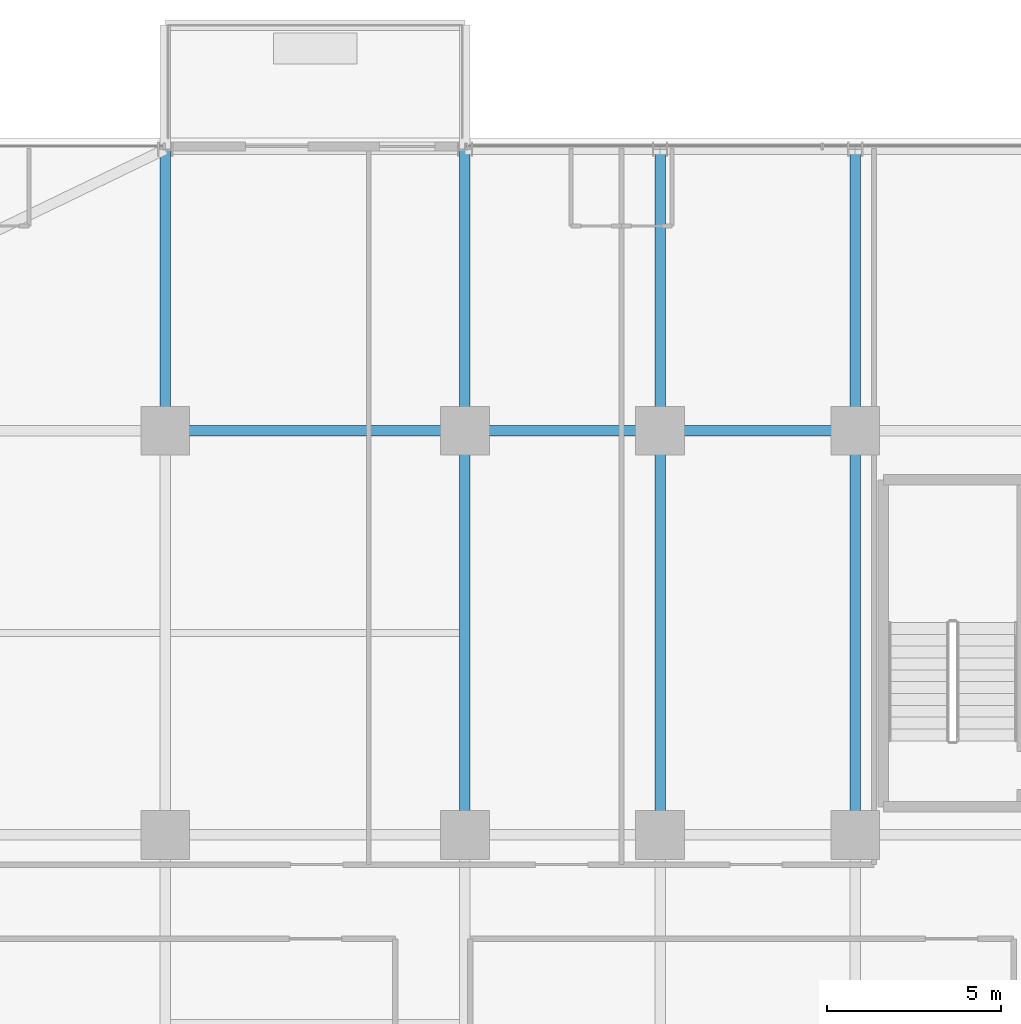
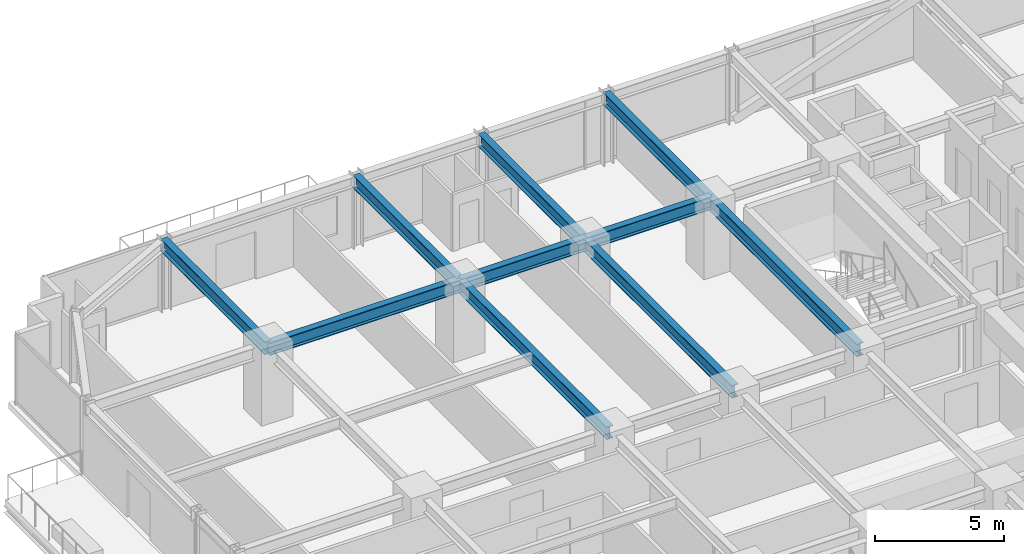
# One storey, part 21 of 36: 10 beams.
"""IFC4 building model written with IfcOpenShell, lengths in metres."""

from ifc_helpers import new_model, si_unit, direction, frame, origin, origin_2d, place, context, subcontext, project, spatial, i_section, extrude, source, transform, mapped, material, material_profile, profile_set, type_object, element, save


model = new_model("IFC4")

# Units and contexts
model_context = context("Model", 3, precision=1e-05, world=origin(), true_north=direction((0.0, 1.0)))
body_context = subcontext(model_context, "Body", "Model", "MODEL_VIEW")
ifc_project = project(units=[si_unit("LENGTHUNIT", "METRE"), si_unit("AREAUNIT", "SQUARE_METRE"), si_unit("VOLUMEUNIT", "CUBIC_METRE"), si_unit("PLANEANGLEUNIT", "RADIAN"), si_unit("MASSUNIT", "GRAM", prefix="KILO")], contexts=[model_context])

# Site, building, storey
site_placement = place(None, origin())
site = spatial("IfcSite", under=ifc_project, at=site_placement, CompositionType="ELEMENT")
building_placement = place(site_placement, origin())
building = spatial("IfcBuilding", under=site, at=building_placement, Name="Nahalor Promenade Grand Hotel", CompositionType="ELEMENT")
storey_placement = place(building_placement, frame((0.0, 0.0, 76.199951171875)))
storey = spatial("IfcBuildingStorey", under=building, at=storey_placement, Name="L18", CompositionType="ELEMENT", Elevation=76.199951171875)

# Beams
ifc_material = material(Name="Steel S355JR", Category="steel")
ifc_material_profile = material_profile(ifc_material, i_section(OverallWidth=0.3, OverallDepth=0.6, WebThickness=0.0155, FlangeThickness=0.03, at=origin_2d()), Name="HEB 600")
ifc_profile_set = profile_set([ifc_material_profile], Name="Steel S355JR")
beam_type = type_object("IfcBeamType", Name="Beam-Girder-HEB600", PredefinedType="BEAM", material=ifc_profile_set)
shared_shape_1 = source(origin(), body_context, "Body", "SweptSolid", [
    extrude(i_section(OverallWidth=0.3, OverallDepth=0.6, WebThickness=0.0155, FlangeThickness=0.03, at=origin_2d()), origin(), (0.0, 0.0, 1.0), 8.60009765625),
])
beam_1_placement = place(storey_placement, frame((-17.0, 17.0, 3.070068359375), z_axis=(1.0, 0.0, 0.0), x_axis=(0.0, 1.0, 0.0)))
element("IfcBeam", 1, at=beam_1_placement, inside=storey, type_object=beam_type, Name="BM-L18-GX-3-1", PredefinedType="BEAM", context=body_context, shape_type="MappedRepresentation", body=[
    mapped(shared_shape_1, transform((0.0, 0.0, 0.0), scale=1.0)),
])
shared_shape_2 = source(origin(), body_context, "Body", "SweptSolid", [
    extrude(i_section(OverallWidth=0.3, OverallDepth=0.6, WebThickness=0.0155, FlangeThickness=0.03, at=origin_2d()), origin(), (0.0, 0.0, 1.0), 5.599853515625),
])
beam_2_placement = place(storey_placement, frame((-8.39990234375, 17.0, 3.070068359375), z_axis=(1.0, 0.0, 0.0), x_axis=(0.0, 1.0, 0.0)))
element("IfcBeam", 2, at=beam_2_placement, inside=storey, type_object=beam_type, Name="BM-L18-GX-3-2", PredefinedType="BEAM", context=body_context, shape_type="MappedRepresentation", body=[
    mapped(shared_shape_2, transform((0.0, 0.0, 0.0), scale=1.0)),
])
shared_shape_3 = source(origin(), body_context, "Body", "SweptSolid", [
    extrude(i_section(OverallWidth=0.3, OverallDepth=0.6, WebThickness=0.0155, FlangeThickness=0.03, at=origin_2d()), origin(), (0.0, 0.0, 1.0), 5.60009765625),
])
beam_3_placement = place(storey_placement, frame((-2.800048828125, 17.0, 3.070068359375), z_axis=(1.0, 0.0, 0.0), x_axis=(0.0, 1.0, 0.0)))
element("IfcBeam", 3, at=beam_3_placement, inside=storey, type_object=beam_type, Name="BM-L18-GX-3-3", PredefinedType="BEAM", context=body_context, shape_type="MappedRepresentation", body=[
    mapped(shared_shape_3, transform((0.0, 0.0, 0.0), scale=1.0)),
])
shared_shape_4 = source(origin(), body_context, "Body", "SweptSolid", [
    extrude(i_section(OverallWidth=0.3, OverallDepth=0.6, WebThickness=0.0155, FlangeThickness=0.03, at=origin_2d()), origin(), (0.0, 0.0, 1.0), 11.60009765625),
])
for number, where, z_axis, x_axis, name in (
    (4, (-8.39990234375, 5.39990234375, 3.070068359375), (0.0, 1.0, 0.0), (-1.0, 0.0, 0.0), "BM-L18-GY-1-3"),
    (5, (-2.800048828125, 5.39990234375, 3.070068359375), (0.0, 1.0, 0.0), (-1.0, 0.0, 0.0), "BM-L18-GY-2-3"),
    (6, (2.800048828125, 5.39990234375, 3.070068359375), (0.0, 1.0, 0.0), (-1.0, 0.0, 0.0), "BM-L18-GY-3-3"),
):
    element("IfcBeam", number, at=place(storey_placement, frame(where, z_axis=z_axis, x_axis=x_axis)), inside=storey, type_object=beam_type, Name=name, PredefinedType="BEAM", context=body_context, shape_type="MappedRepresentation", body=[
        mapped(shared_shape_4, transform((0.0, 0.0, 0.0), scale=1.0)),
    ])
shared_shape_5 = source(origin(), body_context, "Body", "SweptSolid", [
    extrude(i_section(OverallWidth=0.3, OverallDepth=0.6, WebThickness=0.0155, FlangeThickness=0.03, at=origin_2d()), origin(), (0.0, 0.0, 1.0), 8.080078125),
])
for number, where, z_axis, x_axis, name in (
    (7, (-17.0, 17.0, 3.070068359375), (0.0, 1.0, 0.0), (-1.0, 0.0, 0.0), "BM-L18-GY-0-4"),
    (8, (-8.39990234375, 17.0, 3.070068359375), (0.0, 1.0, 0.0), (-1.0, 0.0, 0.0), "BM-L18-GY-1-4"),
    (9, (-2.800048828125, 17.0, 3.070068359375), (0.0, 1.0, 0.0), (-1.0, 0.0, 0.0), "BM-L18-GY-2-4"),
    (10, (2.800048828125, 17.0, 3.070068359375), (0.0, 1.0, 0.0), (-1.0, 0.0, 0.0), "BM-L18-GY-3-4"),
):
    element("IfcBeam", number, at=place(storey_placement, frame(where, z_axis=z_axis, x_axis=x_axis)), inside=storey, type_object=beam_type, Name=name, PredefinedType="BEAM", context=body_context, shape_type="MappedRepresentation", body=[
        mapped(shared_shape_5, transform((0.0, 0.0, 0.0), scale=1.0)),
    ])

save(model, "model.ifc")
